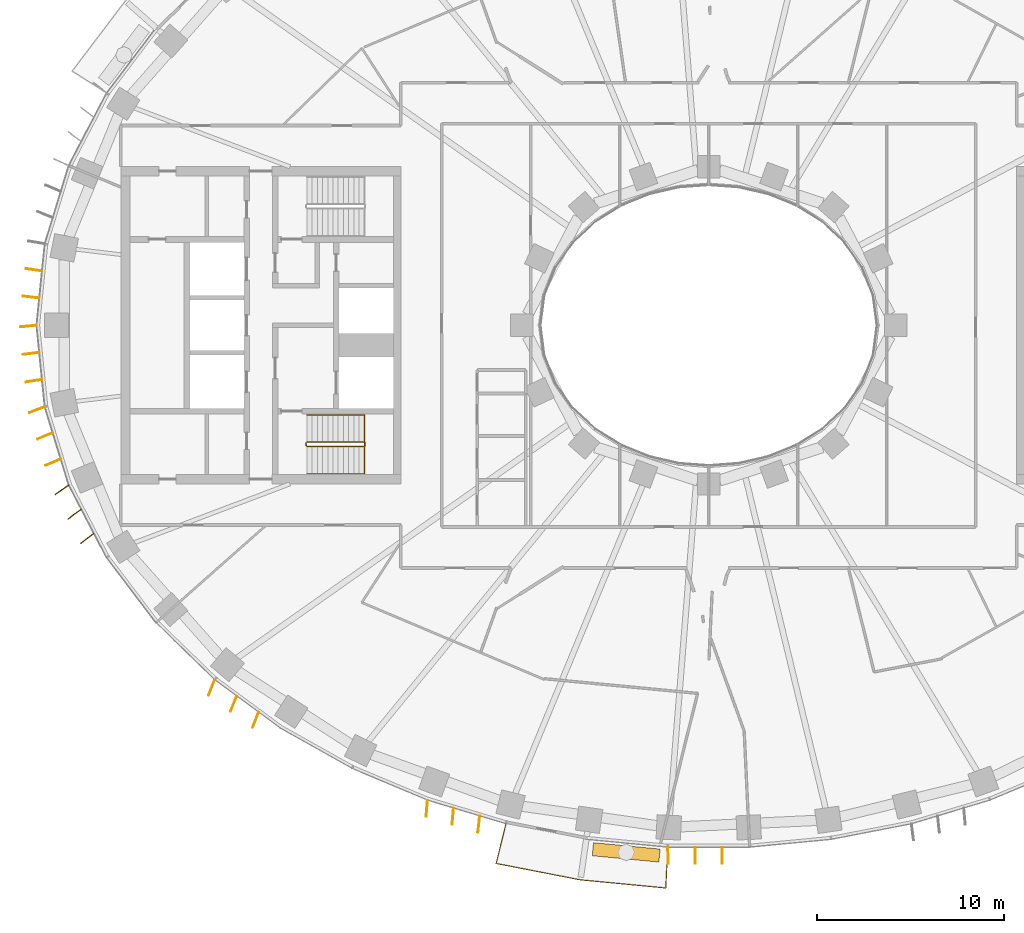
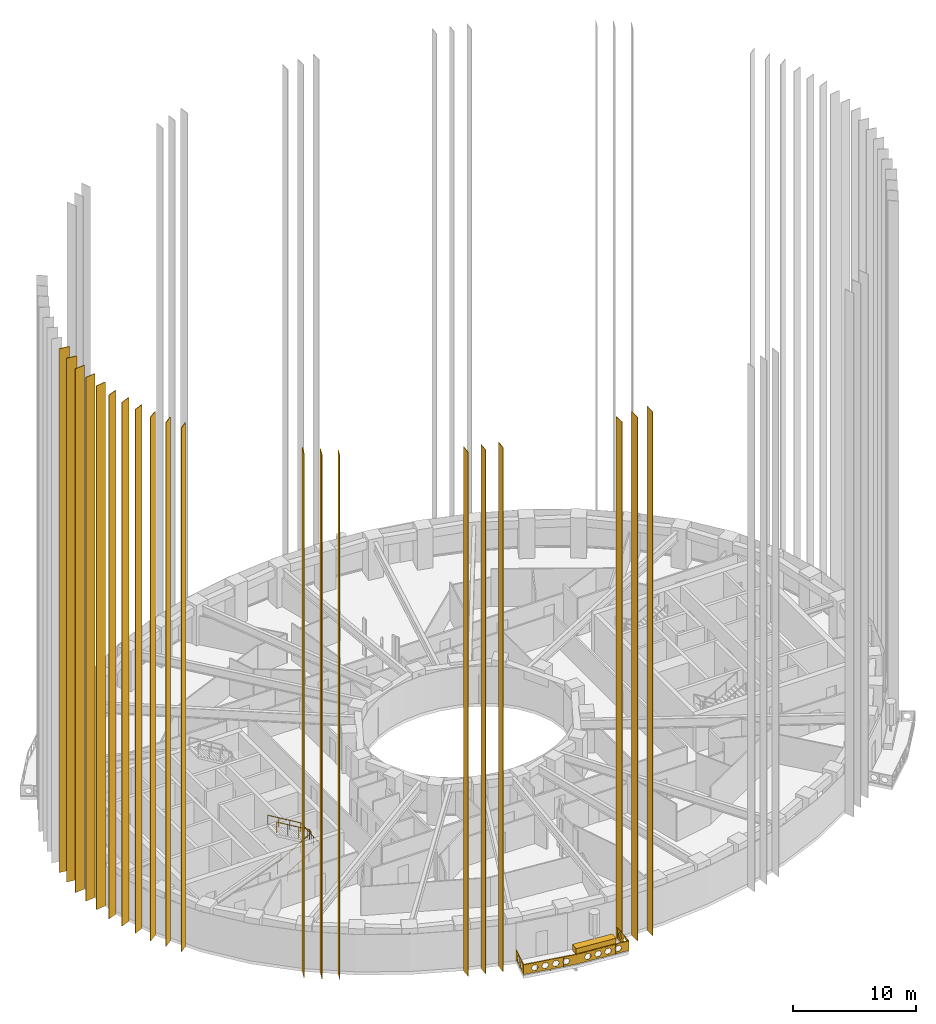
# One storey, part 15 of 20: 21 coverings, 3 railings.
"""IFC4 building model written with IfcOpenShell, lengths in metres."""

from ifc_helpers import new_model, si_unit, direction, frame, origin, origin_2d, place, context, subcontext, project, spatial, polyline, rectangle, outline, extrude, material, material_profile, profile_set, type_object, element, save


model = new_model("IFC4")

# Units and contexts
model_context = context("Model", 3, precision=1e-05, world=origin(), true_north=direction((0.0, 1.0)))
body_context = subcontext(model_context, "Body", "Model", "MODEL_VIEW")
ifc_project = project(units=[si_unit("LENGTHUNIT", "METRE"), si_unit("AREAUNIT", "SQUARE_METRE"), si_unit("VOLUMEUNIT", "CUBIC_METRE"), si_unit("PLANEANGLEUNIT", "RADIAN"), si_unit("MASSUNIT", "GRAM", prefix="KILO")], contexts=[model_context])

# Site, building, storey
site_placement = place(None, origin())
site = spatial("IfcSite", under=ifc_project, at=site_placement, CompositionType="ELEMENT")
building_placement = place(site_placement, origin())
building = spatial("IfcBuilding", under=site, at=building_placement, Name="Noorbagh Ring Tower", CompositionType="ELEMENT")
storey_placement = place(building_placement, frame((0.0, 0.0, 88.0)))
storey = spatial("IfcBuildingStorey", under=building, at=storey_placement, Name="L19", CompositionType="ELEMENT", Elevation=88.0)

# Railings
ifc_material_1 = material(Name="Stainless steel", Category="steel")
railing_type_1 = type_object("IfcRailingType", Name="CORE-STAIR-GUARD", PredefinedType="GUARDRAIL", material=ifc_material_1)
railing_1_placement = place(storey_placement, frame((-21.580078125, -6.449951171875, 0.0)))
element("IfcRailing", 1, at=railing_1_placement, inside=storey, type_object=railing_type_1, Name="L19 ST2 stair guard", PredefinedType="GUARDRAIL", context=body_context, shape_type="SweptSolid", body=[
    extrude(rectangle(XDim=0.048095703125, YDim=0.048095703125, at=origin_2d()), frame((0.0, 0.0, 1.076171875), z_axis=(0.0, 1.0, 0.0), x_axis=(-1.0, 0.0, 0.0)), (0.0, 0.0, 1.0), 0.14990234375),
    extrude(rectangle(XDim=0.048095703125, YDim=0.048095703125, at=origin_2d()), frame((0.0, 0.14990234375, 1.076171875), z_axis=(0.188775798145, -0.754182335027, 0.628945707965), x_axis=(0.970072785993, 0.242814311512, 0.0)), (0.0, 0.0, 1.0), 0.26513671875),
    extrude(rectangle(XDim=0.048095703125, YDim=0.048095703125, at=origin_2d()), frame((0.050048828125, -0.050048828125, 1.24267578125), z_axis=(0.859308565015, 0.0, 0.511457515432), x_axis=(0.0, 1.0, 0.0)), (0.0, 0.0, 1.0), 3.58447265625),
    extrude(rectangle(XDim=0.048095703125, YDim=0.048095703125, at=origin_2d()), frame((3.130126953125, -0.050048828125, 3.076171875), z_axis=(0.707106781187, 0.707106781187, 0.0), x_axis=(-0.707106781187, 0.707106781187, 0.0)), (0.0, 0.0, 1.0), 0.07080078125),
    extrude(rectangle(XDim=0.048095703125, YDim=0.048095703125, at=origin_2d()), frame((3.18017578125, 0.0, 3.076171875), z_axis=(0.0, 1.0, 0.0), x_axis=(-1.0, 0.0, 0.0)), (0.0, 0.0, 1.0), 0.14990234375),
    extrude(rectangle(XDim=0.048095703125, YDim=0.048095703125, at=origin_2d()), frame((3.18017578125, 0.14990234375, 3.076171875), z_axis=(-0.27628659633, 0.27628659633, 0.920506074601), x_axis=(-0.707106781187, -0.707106781187, 0.0)), (0.0, 0.0, 1.0), 0.18115234375),
    extrude(rectangle(XDim=0.048095703125, YDim=0.048095703125, at=origin_2d()), frame((3.130126953125, 0.199951171875, 3.24267578125), z_axis=(-0.859308565015, 0.0, 0.511457515432), x_axis=(0.0, -1.0, 0.0)), (0.0, 0.0, 1.0), 3.58447265625),
    extrude(rectangle(XDim=0.0419921875, YDim=0.0419921875, at=origin_2d()), origin(), (0.0, 0.0, 1.0), 1.052001953125),
    extrude(rectangle(XDim=0.0419921875, YDim=0.0419921875, at=origin_2d()), frame((1.07666015625, -0.050048828125, 0.77783203125)), (0.0, 0.0, 1.0), 1.052001953125),
    extrude(rectangle(XDim=0.0419921875, YDim=0.0419921875, at=origin_2d()), frame((2.103515625, -0.050048828125, 1.388916015625)), (0.0, 0.0, 1.0), 1.052001953125),
    extrude(rectangle(XDim=0.0419921875, YDim=0.0419921875, at=origin_2d()), frame((3.130126953125, -0.050048828125, 2.0)), (0.0, 0.0, 1.0), 1.052001953125),
    extrude(rectangle(XDim=0.0419921875, YDim=0.0419921875, at=origin_2d()), frame((3.130126953125, 0.199951171875, 2.166748046875)), (0.0, 0.0, 1.0), 1.052001953125),
    extrude(rectangle(XDim=0.0419921875, YDim=0.0419921875, at=origin_2d()), frame((2.103515625, 0.199951171875, 2.77783203125)), (0.0, 0.0, 1.0), 1.052001953125),
    extrude(rectangle(XDim=0.0419921875, YDim=0.0419921875, at=origin_2d()), frame((1.07666015625, 0.199951171875, 3.388916015625)), (0.0, 0.0, 1.0), 1.052001953125),
    extrude(rectangle(XDim=0.0419921875, YDim=0.0419921875, at=origin_2d()), frame((0.050048828125, 0.199951171875, 4.0)), (0.0, 0.0, 1.0), 1.052001953125),
])
ifc_material_2 = material(Name="Stainless steel", Category="steel")
railing_type_2 = type_object("IfcRailingType", Name="CORE-STAIR-HANDRAIL", PredefinedType="HANDRAIL", material=ifc_material_2)
railing_2_placement = place(storey_placement, frame((-21.530029296875, -7.949951171875, 0.166748046875)))
element("IfcRailing", 2, at=railing_2_placement, inside=storey, type_object=railing_type_2, Name="L19 ST2 stair handrail", PredefinedType="HANDRAIL", context=body_context, shape_type="SweptSolid", body=[
    extrude(rectangle(XDim=0.048095703125, YDim=0.048095703125, at=origin_2d()), frame((0.0, 0.0, 0.8759765625), z_axis=(0.859308565015, 0.0, 0.511457515432), x_axis=(0.0, 1.0, 0.0)), (0.0, 0.0, 1.0), 3.58447265625),
    extrude(rectangle(XDim=0.048095703125, YDim=0.048095703125, at=origin_2d()), frame((3.080078125, 0.0, 2.708984375), z_axis=(0.0, 0.998601747152, 0.052863509014), x_axis=(-1.0, 0.0, 0.0)), (0.0, 0.0, 1.0), 3.154296875),
    extrude(rectangle(XDim=0.048095703125, YDim=0.048095703125, at=origin_2d()), frame((3.080078125, 3.14990234375, 2.8759765625), z_axis=(-0.859308565015, 0.0, 0.511457515432), x_axis=(0.0, -1.0, 0.0)), (0.0, 0.0, 1.0), 3.58447265625),
    extrude(rectangle(XDim=0.0419921875, YDim=0.0419921875, at=origin_2d()), origin(), (0.0, 0.0, 1.0), 0.851806640625),
    extrude(rectangle(XDim=0.0419921875, YDim=0.0419921875, at=origin_2d()), frame((1.026611328125, 0.0, 0.611083984375)), (0.0, 0.0, 1.0), 0.851806640625),
    extrude(rectangle(XDim=0.0419921875, YDim=0.0419921875, at=origin_2d()), frame((2.053466796875, 0.0, 1.22216796875)), (0.0, 0.0, 1.0), 0.851806640625),
    extrude(rectangle(XDim=0.0419921875, YDim=0.0419921875, at=origin_2d()), frame((3.080078125, 0.0, 1.833251953125)), (0.0, 0.0, 1.0), 0.851806640625),
    extrude(rectangle(XDim=0.0419921875, YDim=0.0419921875, at=origin_2d()), frame((3.080078125, 1.050048828125, 1.888916015625)), (0.0, 0.0, 1.0), 0.851806640625),
    extrude(rectangle(XDim=0.0419921875, YDim=0.0419921875, at=origin_2d()), frame((3.080078125, 2.099853515625, 1.9443359375)), (0.0, 0.0, 1.0), 0.851806640625),
    extrude(rectangle(XDim=0.0419921875, YDim=0.0419921875, at=origin_2d()), frame((3.080078125, 3.14990234375, 2.0)), (0.0, 0.0, 1.0), 0.851806640625),
    extrude(rectangle(XDim=0.0419921875, YDim=0.0419921875, at=origin_2d()), frame((2.053466796875, 3.14990234375, 2.611083984375)), (0.0, 0.0, 1.0), 0.851806640625),
    extrude(rectangle(XDim=0.0419921875, YDim=0.0419921875, at=origin_2d()), frame((1.026611328125, 3.14990234375, 3.22216796875)), (0.0, 0.0, 1.0), 0.851806640625),
    extrude(rectangle(XDim=0.0419921875, YDim=0.0419921875, at=origin_2d()), frame((0.0, 3.14990234375, 3.833251953125)), (0.0, 0.0, 1.0), 0.851806640625),
])

# Coverings
ifc_material_3 = material(Name="Aluminium 6063-T6 black anodised", Category="aluminium")
ifc_material_profile = material_profile(ifc_material_3, rectangle(XDim=0.89990234375, YDim=0.050048828125, at=origin_2d()), Name="900x50")
ifc_profile_set = profile_set([ifc_material_profile], Name="Aluminium 6063-T6 black anodised")
covering_type_1 = type_object("IfcCoveringType", Name="ENV-FIN", PredefinedType="CLADDING", material=ifc_profile_set)
for number, where, z_axis, x_axis, name in (
    (3, (-36.154296875, 2.97216796875, -0.284912109375), (0.0, 0.0, 1.0), (-0.989102941421, 0.147225579543, 0.0), "Fin F23 2 L19-L31"),
    (4, (-36.30126953125, 1.5087890625, -0.284912109375), (0.0, 0.0, 1.0), (-0.992302876732, 0.12383457041, 0.0), "Fin F23 3 L19-L31"),
    (5, (-36.4482421875, -0.045166015625, -0.284912109375), (0.0, 0.0, 1.0), (-0.994969504864, -0.100178263068, 0.0), "Fin F24 1 L19-L31"),
    (6, (-36.30126953125, -1.5087890625, -0.284912109375), (0.0, 0.0, 1.0), (-0.992302876732, -0.12383457041, 0.0), "Fin F24 2 L19-L31"),
    (7, (-36.154296875, -2.97216796875, -0.284912109375), (0.0, 0.0, 1.0), (-0.989102941421, -0.147225579543, 0.0), "Fin F24 3 L19-L31"),
    (8, (-35.9833984375, -4.520751953125, -0.284912109375), (0.0, 0.0, 1.0), (-0.933362145395, -0.358936074453, 0.0), "Fin F25 1 L19-L31"),
    (9, (-35.553466796875, -5.92724609375, -0.284912109375), (0.0, 0.0, 1.0), (-0.925000661941, -0.379965492392, 0.0), "Fin F25 2 L19-L31"),
    (10, (-35.123291015625, -7.3330078125, -0.284912109375), (0.0, 0.0, 1.0), (-0.916474909008, -0.40009216583, 0.0), "Fin F25 3 L19-L31"),
    (11, (-34.651611328125, -8.810791015625, -0.284912109375), (0.0, 0.0, 1.0), (-0.815855460993, -0.57825588347, 0.0), "Fin F26 1 L19-L31"),
    (12, (-33.9716796875, -10.113525390625, -0.284912109375), (0.0, 0.0, 1.0), (-0.804260303023, -0.59427717858, 0.0), "Fin F26 2 L19-L31"),
    (13, (-33.291748046875, -11.415771484375, -0.284912109375), (0.0, 0.0, 1.0), (-0.793137535147, -0.609042568579, 0.0), "Fin F26 3 L19-L31"),
    (14, (-26.633544921875, -19.406982421875, -0.284912109375), (0.0, 0.0, 1.0), (-0.36956351025, -0.929205473451, 0.0), "Fin F29 1 L19-L31"),
    (15, (-25.455078125, -20.2744140625, -0.284912109375), (0.0, 0.0, 1.0), (-0.366046969104, -0.930596376745, 0.0), "Fin F29 2 L19-L31"),
    (16, (-24.277587890625, -21.1416015625, -0.284912109375), (0.0, 0.0, 1.0), (-0.364533046139, -0.931190452202, 0.0), "Fin F29 3 L19-L31"),
    (17, (-15.102294921875, -25.884521484375, -0.284912109375), (0.0, 0.0, 1.0), (-0.078357246483, -0.996925344208, 0.0), "Fin F32 1 L19-L31"),
    (18, (-13.708740234375, -26.304931640625, -0.284912109375), (0.0, 0.0, 1.0), (-0.092918421481, -0.995673725148, 0.0), "Fin F32 2 L19-L31"),
    (19, (-12.31591796875, -26.72509765625, -0.284912109375), (0.0, 0.0, 1.0), (-0.109101232004, -0.994030643982, 0.0), "Fin F32 3 L19-L31"),
    (20, (-2.17724609375, -28.399169921875, -0.284912109375), (0.0, 0.0, 1.0), (0.035640795498, -0.999364665023, 0.0), "Fin F35 1 L19-L31"),
    (21, (-0.7255859375, -28.398681640625, -0.284912109375), (0.0, 0.0, 1.0), (0.011915412219, -0.999929008956, 0.0), "Fin F35 2 L19-L31"),
    (22, (0.7255859375, -28.398681640625, -0.284912109375), (0.0, 0.0, 1.0), (-0.011915412219, -0.999929008956, 0.0), "Fin F35 3 L19-L31"),
):
    element("IfcCovering", number, at=place(storey_placement, frame(where, z_axis=z_axis, x_axis=x_axis)), inside=storey, type_object=covering_type_1, Name=name, ObjectType="FIN", PredefinedType="CLADDING", context=body_context, shape_type="SweptSolid", body=[
        extrude(rectangle(XDim=0.89990234375, YDim=0.050048828125, at=origin_2d()), origin(), (0.0, 0.0, 1.0), 51.969970703125),
    ])

# Railing
ifc_material_4 = material(Name="Steel S275 black powder-coated", Category="steel")
railing_type_3 = type_object("IfcRailingType", Name="ENV-GUARD", PredefinedType="GUARDRAIL", material=ifc_material_4)
railing_3_placement = place(storey_placement, frame((-10.865234375, -26.6943359375, 0.0)))
element("IfcRailing", 23, at=railing_3_placement, inside=storey, type_object=railing_type_3, Name="Balcony guard BS03", PredefinedType="GUARDRAIL", context=body_context, shape_type="SweptSolid", body=[
    extrude(rectangle(XDim=0.048095703125, YDim=0.048095703125, at=origin_2d()), frame((0.0, 0.0, 1.076171875), z_axis=(-0.239848558412, -0.970810315679, 0.0), x_axis=(0.970810315679, -0.239848558412, 0.0)), (0.0, 0.0, 1.0), 2.20263671875),
    extrude(rectangle(XDim=0.048095703125, YDim=0.048095703125, at=origin_2d()), frame((-0.5283203125, -2.138427734375, 1.076171875), z_axis=(0.981625049064, -0.1908199755, 0.0), x_axis=(0.1908199755, 0.981625049064, 0.0)), (0.0, 0.0, 1.0), 4.603271484375),
    extrude(rectangle(XDim=0.048095703125, YDim=0.048095703125, at=origin_2d()), frame((3.990478515625, -3.016845703125, 1.076171875), z_axis=(0.995477555764, -0.094997031379, 0.0), x_axis=(0.094997031379, 0.995477555764, 0.0)), (0.0, 0.0, 1.0), 4.59765625),
    extrude(rectangle(XDim=0.048095703125, YDim=0.048095703125, at=origin_2d()), frame((8.5673828125, -3.45361328125, 1.076171875), z_axis=(0.047554616162, 0.998868639252, 0.0), x_axis=(-0.998868639252, 0.047554616162, 0.0)), (0.0, 0.0, 1.0), 2.202392578125),
    extrude(rectangle(XDim=0.0419921875, YDim=0.0419921875, at=origin_2d()), origin(), (0.0, 0.0, 1.0), 1.052001953125),
    extrude(rectangle(XDim=0.0419921875, YDim=0.0419921875, at=origin_2d()), frame((-0.26416015625, -1.0693359375, 0.0)), (0.0, 0.0, 1.0), 1.052001953125),
    extrude(rectangle(XDim=0.0419921875, YDim=0.0419921875, at=origin_2d()), frame((-0.5283203125, -2.138427734375, 0.0)), (0.0, 0.0, 1.0), 1.052001953125),
    extrude(rectangle(XDim=0.0419921875, YDim=0.0419921875, at=origin_2d()), frame((0.601318359375, -2.35791015625, 0.0)), (0.0, 0.0, 1.0), 1.052001953125),
    extrude(rectangle(XDim=0.0419921875, YDim=0.0419921875, at=origin_2d()), frame((1.73095703125, -2.57763671875, 0.0)), (0.0, 0.0, 1.0), 1.052001953125),
    extrude(rectangle(XDim=0.0419921875, YDim=0.0419921875, at=origin_2d()), frame((2.86083984375, -2.79736328125, 0.0)), (0.0, 0.0, 1.0), 1.052001953125),
    extrude(rectangle(XDim=0.0419921875, YDim=0.0419921875, at=origin_2d()), frame((3.990478515625, -3.016845703125, 0.0)), (0.0, 0.0, 1.0), 1.052001953125),
    extrude(rectangle(XDim=0.0419921875, YDim=0.0419921875, at=origin_2d()), frame((5.134765625, -3.1259765625, 0.0)), (0.0, 0.0, 1.0), 1.052001953125),
    extrude(rectangle(XDim=0.0419921875, YDim=0.0419921875, at=origin_2d()), frame((6.27880859375, -3.2353515625, 0.0)), (0.0, 0.0, 1.0), 1.052001953125),
    extrude(rectangle(XDim=0.0419921875, YDim=0.0419921875, at=origin_2d()), frame((7.423095703125, -3.344482421875, 0.0)), (0.0, 0.0, 1.0), 1.052001953125),
    extrude(rectangle(XDim=0.0419921875, YDim=0.0419921875, at=origin_2d()), frame((8.5673828125, -3.45361328125, 0.0)), (0.0, 0.0, 1.0), 1.052001953125),
    extrude(rectangle(XDim=0.0419921875, YDim=0.0419921875, at=origin_2d()), frame((8.61962890625, -2.353515625, 0.0)), (0.0, 0.0, 1.0), 1.052001953125),
    extrude(rectangle(XDim=0.0419921875, YDim=0.0419921875, at=origin_2d()), frame((8.672119140625, -1.253662109375, 0.0)), (0.0, 0.0, 1.0), 1.052001953125),
    extrude(outline(polyline([(0.0, 0.10009765625), (2.20263671875, 0.10009765625), (2.20263671875, 1.031982421875), (0.0, 1.031982421875), (0.0, 0.10009765625)]), holes=[polyline([(0.96142578125, 0.56591796875), (0.806396484375, 0.83447265625), (0.496337890625, 0.83447265625), (0.34130859375, 0.56591796875), (0.496337890625, 0.297607421875), (0.806396484375, 0.297607421875), (0.96142578125, 0.56591796875)]), polyline([(1.861328125, 0.56591796875), (1.706298828125, 0.83447265625), (1.396240234375, 0.83447265625), (1.241455078125, 0.56591796875), (1.396240234375, 0.297607421875), (1.706298828125, 0.297607421875), (1.861328125, 0.56591796875)])]), frame((0.009765625, -0.00244140625, 0.0), z_axis=(-0.970810315679, 0.239848558412, 0.0), x_axis=(-0.239848558412, -0.970810315679, 0.0)), (0.0, 0.0, 1.0), 0.02001953125),
    extrude(outline(polyline([(0.0, 0.10009765625), (4.603271484375, 0.10009765625), (4.603271484375, 1.031982421875), (0.0, 1.031982421875), (0.0, 0.10009765625)]), holes=[polyline([(1.26171875, 0.56591796875), (1.106689453125, 0.83447265625), (0.796630859375, 0.83447265625), (0.6416015625, 0.56591796875), (0.796630859375, 0.297607421875), (1.106689453125, 0.297607421875), (1.26171875, 0.56591796875)]), polyline([(2.16162109375, 0.56591796875), (2.006591796875, 0.83447265625), (1.69677734375, 0.83447265625), (1.541748046875, 0.56591796875), (1.69677734375, 0.297607421875), (2.006591796875, 0.297607421875), (2.16162109375, 0.56591796875)]), polyline([(3.061767578125, 0.56591796875), (2.90673828125, 0.83447265625), (2.5966796875, 0.83447265625), (2.441650390625, 0.56591796875), (2.5966796875, 0.297607421875), (2.90673828125, 0.297607421875), (3.061767578125, 0.56591796875)]), polyline([(3.961669921875, 0.56591796875), (3.806640625, 0.83447265625), (3.49658203125, 0.83447265625), (3.341796875, 0.56591796875), (3.49658203125, 0.297607421875), (3.806640625, 0.297607421875), (3.961669921875, 0.56591796875)])]), frame((-0.5263671875, -2.128662109375, 0.0), z_axis=(-0.1908199755, -0.981625049064, 0.0), x_axis=(0.981625049064, -0.1908199755, 0.0)), (0.0, 0.0, 1.0), 0.02001953125),
    extrude(outline(polyline([(0.0, 0.10009765625), (4.59765625, 0.10009765625), (4.59765625, 1.031982421875), (0.0, 1.031982421875), (0.0, 0.10009765625)]), holes=[polyline([(1.2587890625, 0.56591796875), (1.103759765625, 0.83447265625), (0.7939453125, 0.83447265625), (0.638916015625, 0.56591796875), (0.7939453125, 0.297607421875), (1.103759765625, 0.297607421875), (1.2587890625, 0.56591796875)]), polyline([(2.158935546875, 0.56591796875), (2.00390625, 0.83447265625), (1.69384765625, 0.83447265625), (1.538818359375, 0.56591796875), (1.69384765625, 0.297607421875), (2.00390625, 0.297607421875), (2.158935546875, 0.56591796875)]), polyline([(3.058837890625, 0.56591796875), (2.90380859375, 0.83447265625), (2.59375, 0.83447265625), (2.43896484375, 0.56591796875), (2.59375, 0.297607421875), (2.90380859375, 0.297607421875), (3.058837890625, 0.56591796875)]), polyline([(3.958740234375, 0.56591796875), (3.803955078125, 0.83447265625), (3.493896484375, 0.83447265625), (3.3388671875, 0.56591796875), (3.493896484375, 0.297607421875), (3.803955078125, 0.297607421875), (3.958740234375, 0.56591796875)])]), frame((3.991455078125, -3.0068359375, 0.0), z_axis=(-0.094997031379, -0.995477555764, 0.0), x_axis=(0.995477555764, -0.094997031379, 0.0)), (0.0, 0.0, 1.0), 0.02001953125),
    extrude(outline(polyline([(0.0, 0.10009765625), (2.202392578125, 0.10009765625), (2.202392578125, 1.031982421875), (0.0, 1.031982421875), (0.0, 0.10009765625)]), holes=[polyline([(0.961181640625, 0.56591796875), (0.80615234375, 0.83447265625), (0.496337890625, 0.83447265625), (0.34130859375, 0.56591796875), (0.496337890625, 0.297607421875), (0.80615234375, 0.297607421875), (0.961181640625, 0.56591796875)]), polyline([(1.861328125, 0.56591796875), (1.706298828125, 0.83447265625), (1.396240234375, 0.83447265625), (1.2412109375, 0.56591796875), (1.396240234375, 0.297607421875), (1.706298828125, 0.297607421875), (1.861328125, 0.56591796875)])]), frame((8.557373046875, -3.453125, 0.0), z_axis=(0.998868639252, -0.047554616162, 0.0), x_axis=(0.047554616162, 0.998868639252, 0.0)), (0.0, 0.0, 1.0), 0.02001953125),
])

# Covering
ifc_material_5 = material(Name="Concrete C30/37 planter with soil", Category="concrete")
covering_type_2 = type_object("IfcCoveringType", Name="ENV-PLANTER", PredefinedType="CLADDING", material=ifc_material_5)
covering_placement = place(storey_placement, frame((-4.423828125, -28.2373046875, 0.0), z_axis=(0.0, 0.0, 1.0), x_axis=(0.995476497323, -0.095008122171, 0.0)))
element("IfcCovering", 24, at=covering_placement, inside=storey, type_object=covering_type_2, Name="PLANTER BS03", ObjectType="PLANTER", PredefinedType="CLADDING", context=body_context, shape_type="SweptSolid", body=[
    extrude(rectangle(XDim=3.58642578125, YDim=0.699951171875, at=origin_2d()), origin(), (0.0, 0.0, 1.0), 0.60009765625),
])

save(model, "model.ifc")
